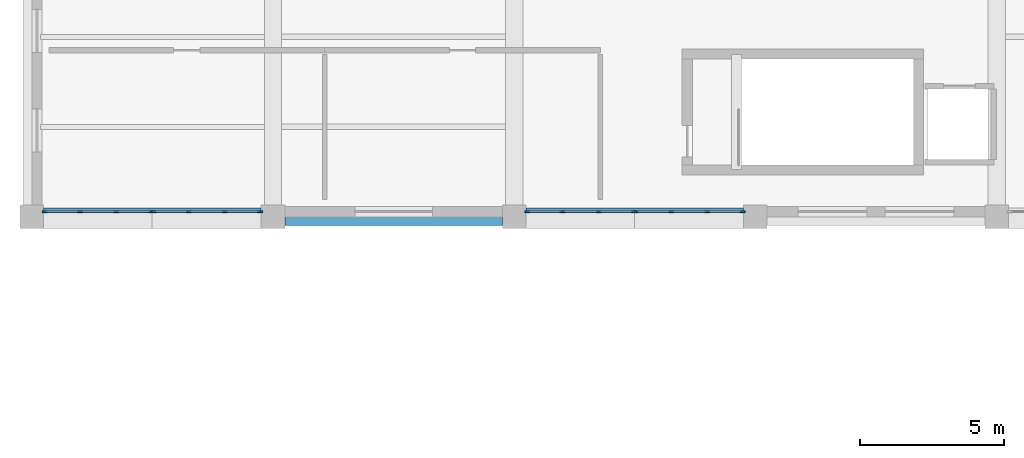
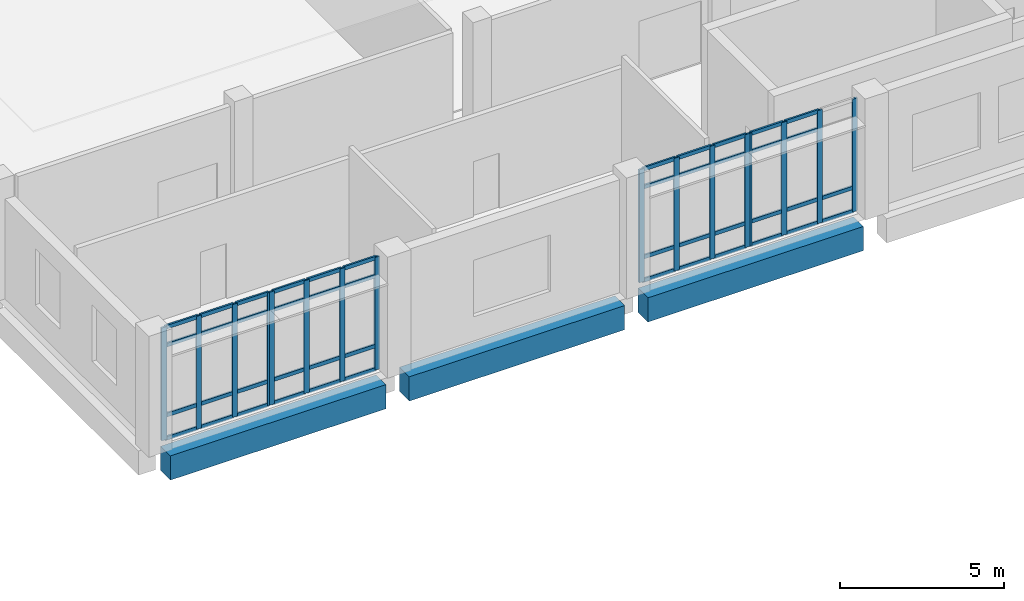
# One storey, part 10 of 54: 62 members, 3 beams, 4 elements without a shape of their own.
"""IFC4 building model written with IfcOpenShell, lengths in metres."""

from ifc_helpers import new_model, si_unit, direction, frame, origin, origin_2d, place, context, subcontext, project, spatial, rectangle, extrude, material, layer, layer_set, material_profile, profile_set, type_object, element, aggregate, save


model = new_model("IFC4")

# Units and contexts
model_context = context("Model", 3, precision=1e-05, world=origin(), true_north=direction((0.0, 1.0)))
body_context = subcontext(model_context, "Body", "Model", "MODEL_VIEW")
ifc_project = project(units=[si_unit("LENGTHUNIT", "METRE"), si_unit("AREAUNIT", "SQUARE_METRE"), si_unit("VOLUMEUNIT", "CUBIC_METRE"), si_unit("PLANEANGLEUNIT", "RADIAN"), si_unit("MASSUNIT", "GRAM", prefix="KILO")], contexts=[model_context])

# Site, building, storey
site_placement = place(None, origin())
site = spatial("IfcSite", under=ifc_project, at=site_placement, CompositionType="ELEMENT")
building_placement = place(site_placement, origin())
building = spatial("IfcBuilding", under=site, at=building_placement, Name="Kelarvand Opera House", CompositionType="ELEMENT")
storey_placement = place(building_placement, frame((0.0, 0.0, 15.0)))
storey = spatial("IfcBuildingStorey", under=building, at=storey_placement, Name="L03", CompositionType="ELEMENT", Elevation=15.0)

# Curtain wall, members
ifc_material_1 = material(Name="Thermally broken aluminium and low-E glazing", Category="aluminium")
ifc_layer = layer(ifc_material_1, 0.179931640625, Name="Thermally broken aluminium and low-E glazing", Category="aluminium")
ifc_layer_set = layer_set([ifc_layer], Name="Thermally broken aluminium and low-E glazing")
curtain_wall_type = type_object("IfcCurtainWallType", Name="Unitised Low-E Curtain Wall 3776x4200 Mod 1350 CWF-14", PredefinedType="USERDEFINED", material=ifc_layer_set)
curtain_wall_1_placement = place(storey_placement, origin())
curtain_wall_1 = element("IfcCurtainWall", 1, at=curtain_wall_1_placement, inside=storey, type_object=curtain_wall_type, Name="V3 L03 Curtain Wall CWF-14 (103)", ObjectType="UNITISED CURTAIN WALL", PredefinedType="USERDEFINED")
ifc_material_2 = material(Name="Thermally broken anodised aluminium", Category="aluminium")
ifc_material_profile_1 = material_profile(ifc_material_2, rectangle(XDim=0.06494140625, YDim=0.179931640625, at=origin_2d()), Name="ALU MULLION 65x180", Category="aluminium")
ifc_profile_set_1 = profile_set([ifc_material_profile_1], Name="Thermally broken anodised aluminium")
member_type_1 = type_object("IfcMemberType", Name="Curtain Wall Mullion 65x180 Aluminium", PredefinedType="MULLION", material=ifc_profile_set_1)
member_1_placement = place(storey_placement, frame((33.74755859375, 87.3798828125, 0.0), z_axis=(0.0, 0.0, 1.0), x_axis=(0.0, -1.0, 0.0)))
member_1 = element("IfcMember", 2, at=member_1_placement, type_object=member_type_1, Name="CWF-14 mullion 1", PredefinedType="MULLION", context=body_context, shape_type="SweptSolid", body=[
    extrude(rectangle(XDim=0.06494140625, YDim=0.179931640625, at=origin_2d()), origin(), (0.0, 0.0, 1.0), 4.199951171875),
])
member_2_placement = place(storey_placement, frame((32.521240234375, 87.3798828125, 0.0), z_axis=(0.0, 0.0, 1.0), x_axis=(0.0, -1.0, 0.0)))
member_2 = element("IfcMember", 3, at=member_2_placement, type_object=member_type_1, Name="CWF-14 mullion 2", PredefinedType="MULLION", context=body_context, shape_type="SweptSolid", body=[
    extrude(rectangle(XDim=0.06494140625, YDim=0.179931640625, at=origin_2d()), origin(), (0.0, 0.0, 1.0), 4.199951171875),
])
member_3_placement = place(storey_placement, frame((31.2626953125, 87.3798828125, 0.0), z_axis=(0.0, 0.0, 1.0), x_axis=(0.0, -1.0, 0.0)))
member_3 = element("IfcMember", 4, at=member_3_placement, type_object=member_type_1, Name="CWF-14 mullion 3", PredefinedType="MULLION", context=body_context, shape_type="SweptSolid", body=[
    extrude(rectangle(XDim=0.06494140625, YDim=0.179931640625, at=origin_2d()), origin(), (0.0, 0.0, 1.0), 4.199951171875),
])
member_4_placement = place(storey_placement, frame((30.03662109375, 87.3798828125, 0.0), z_axis=(0.0, 0.0, 1.0), x_axis=(0.0, -1.0, 0.0)))
member_4 = element("IfcMember", 5, at=member_4_placement, type_object=member_type_1, Name="CWF-14 mullion 4", PredefinedType="MULLION", context=body_context, shape_type="SweptSolid", body=[
    extrude(rectangle(XDim=0.06494140625, YDim=0.179931640625, at=origin_2d()), origin(), (0.0, 0.0, 1.0), 4.199951171875),
])

curtain_wall_2_placement = place(storey_placement, origin())
curtain_wall_2 = element("IfcCurtainWall", 6, at=curtain_wall_2_placement, inside=storey, type_object=curtain_wall_type, Name="V3 L03 Curtain Wall CWF-14 (104)", ObjectType="UNITISED CURTAIN WALL", PredefinedType="USERDEFINED")
member_5_placement = place(storey_placement, frame((29.967529296875, 87.3798828125, 0.0), z_axis=(0.0, 0.0, 1.0), x_axis=(0.0, -1.0, 0.0)))
member_5 = element("IfcMember", 7, at=member_5_placement, type_object=member_type_1, Name="CWF-14 mullion 1", PredefinedType="MULLION", context=body_context, shape_type="SweptSolid", body=[
    extrude(rectangle(XDim=0.06494140625, YDim=0.179931640625, at=origin_2d()), origin(), (0.0, 0.0, 1.0), 4.199951171875),
])
member_6_placement = place(storey_placement, frame((28.739990234375, 87.3798828125, 0.0), z_axis=(0.0, 0.0, 1.0), x_axis=(0.0, -1.0, 0.0)))
member_6 = element("IfcMember", 8, at=member_6_placement, type_object=member_type_1, Name="CWF-14 mullion 2", PredefinedType="MULLION", context=body_context, shape_type="SweptSolid", body=[
    extrude(rectangle(XDim=0.06494140625, YDim=0.179931640625, at=origin_2d()), origin(), (0.0, 0.0, 1.0), 4.199951171875),
])
member_7_placement = place(storey_placement, frame((27.47998046875, 87.3798828125, 0.0), z_axis=(0.0, 0.0, 1.0), x_axis=(0.0, -1.0, 0.0)))
member_7 = element("IfcMember", 9, at=member_7_placement, type_object=member_type_1, Name="CWF-14 mullion 3", PredefinedType="MULLION", context=body_context, shape_type="SweptSolid", body=[
    extrude(rectangle(XDim=0.06494140625, YDim=0.179931640625, at=origin_2d()), origin(), (0.0, 0.0, 1.0), 4.199951171875),
])
member_8_placement = place(storey_placement, frame((26.25244140625, 87.3798828125, 0.0), z_axis=(0.0, 0.0, 1.0), x_axis=(0.0, -1.0, 0.0)))
member_8 = element("IfcMember", 10, at=member_8_placement, type_object=member_type_1, Name="CWF-14 mullion 4", PredefinedType="MULLION", context=body_context, shape_type="SweptSolid", body=[
    extrude(rectangle(XDim=0.06494140625, YDim=0.179931640625, at=origin_2d()), origin(), (0.0, 0.0, 1.0), 4.199951171875),
])

curtain_wall_3_placement = place(storey_placement, origin())
curtain_wall_3 = element("IfcCurtainWall", 11, at=curtain_wall_3_placement, inside=storey, type_object=curtain_wall_type, Name="V3 L03 Curtain Wall CWF-14 (105)", ObjectType="UNITISED CURTAIN WALL", PredefinedType="USERDEFINED")
member_9_placement = place(storey_placement, frame((16.947509765625, 87.3798828125, 0.0), z_axis=(0.0, 0.0, 1.0), x_axis=(0.0, -1.0, 0.0)))
member_9 = element("IfcMember", 12, at=member_9_placement, type_object=member_type_1, Name="CWF-14 mullion 1", PredefinedType="MULLION", context=body_context, shape_type="SweptSolid", body=[
    extrude(rectangle(XDim=0.06494140625, YDim=0.179931640625, at=origin_2d()), origin(), (0.0, 0.0, 1.0), 4.199951171875),
])
member_10_placement = place(storey_placement, frame((15.721435546875, 87.3798828125, 0.0), z_axis=(0.0, 0.0, 1.0), x_axis=(0.0, -1.0, 0.0)))
member_10 = element("IfcMember", 13, at=member_10_placement, type_object=member_type_1, Name="CWF-14 mullion 2", PredefinedType="MULLION", context=body_context, shape_type="SweptSolid", body=[
    extrude(rectangle(XDim=0.06494140625, YDim=0.179931640625, at=origin_2d()), origin(), (0.0, 0.0, 1.0), 4.199951171875),
])
member_11_placement = place(storey_placement, frame((14.462646484375, 87.3798828125, 0.0), z_axis=(0.0, 0.0, 1.0), x_axis=(0.0, -1.0, 0.0)))
member_11 = element("IfcMember", 14, at=member_11_placement, type_object=member_type_1, Name="CWF-14 mullion 3", PredefinedType="MULLION", context=body_context, shape_type="SweptSolid", body=[
    extrude(rectangle(XDim=0.06494140625, YDim=0.179931640625, at=origin_2d()), origin(), (0.0, 0.0, 1.0), 4.199951171875),
])
member_12_placement = place(storey_placement, frame((13.236572265625, 87.3798828125, 0.0), z_axis=(0.0, 0.0, 1.0), x_axis=(0.0, -1.0, 0.0)))
member_12 = element("IfcMember", 15, at=member_12_placement, type_object=member_type_1, Name="CWF-14 mullion 4", PredefinedType="MULLION", context=body_context, shape_type="SweptSolid", body=[
    extrude(rectangle(XDim=0.06494140625, YDim=0.179931640625, at=origin_2d()), origin(), (0.0, 0.0, 1.0), 4.199951171875),
])

curtain_wall_4_placement = place(storey_placement, origin())
curtain_wall_4 = element("IfcCurtainWall", 16, at=curtain_wall_4_placement, inside=storey, type_object=curtain_wall_type, Name="V3 L03 Curtain Wall CWF-14 (106)", ObjectType="UNITISED CURTAIN WALL", PredefinedType="USERDEFINED")
member_13_placement = place(storey_placement, frame((13.16748046875, 87.3798828125, 0.0), z_axis=(0.0, 0.0, 1.0), x_axis=(0.0, -1.0, 0.0)))
member_13 = element("IfcMember", 17, at=member_13_placement, type_object=member_type_1, Name="CWF-14 mullion 1", PredefinedType="MULLION", context=body_context, shape_type="SweptSolid", body=[
    extrude(rectangle(XDim=0.06494140625, YDim=0.179931640625, at=origin_2d()), origin(), (0.0, 0.0, 1.0), 4.199951171875),
])
member_14_placement = place(storey_placement, frame((11.93994140625, 87.3798828125, 0.0), z_axis=(0.0, 0.0, 1.0), x_axis=(0.0, -1.0, 0.0)))
member_14 = element("IfcMember", 18, at=member_14_placement, type_object=member_type_1, Name="CWF-14 mullion 2", PredefinedType="MULLION", context=body_context, shape_type="SweptSolid", body=[
    extrude(rectangle(XDim=0.06494140625, YDim=0.179931640625, at=origin_2d()), origin(), (0.0, 0.0, 1.0), 4.199951171875),
])
member_15_placement = place(storey_placement, frame((10.679931640625, 87.3798828125, 0.0), z_axis=(0.0, 0.0, 1.0), x_axis=(0.0, -1.0, 0.0)))
member_15 = element("IfcMember", 19, at=member_15_placement, type_object=member_type_1, Name="CWF-14 mullion 3", PredefinedType="MULLION", context=body_context, shape_type="SweptSolid", body=[
    extrude(rectangle(XDim=0.06494140625, YDim=0.179931640625, at=origin_2d()), origin(), (0.0, 0.0, 1.0), 4.199951171875),
])
member_16_placement = place(storey_placement, frame((9.452392578125, 87.3798828125, 0.0), z_axis=(0.0, 0.0, 1.0), x_axis=(0.0, -1.0, 0.0)))
member_16 = element("IfcMember", 20, at=member_16_placement, type_object=member_type_1, Name="CWF-14 mullion 4", PredefinedType="MULLION", context=body_context, shape_type="SweptSolid", body=[
    extrude(rectangle(XDim=0.06494140625, YDim=0.179931640625, at=origin_2d()), origin(), (0.0, 0.0, 1.0), 4.199951171875),
])

# Member
ifc_material_profile_2 = material_profile(ifc_material_2, rectangle(XDim=0.06494140625, YDim=0.139892578125, at=origin_2d()), Name="ALU TRANSOM 65x140", Category="aluminium")
ifc_profile_set_2 = profile_set([ifc_material_profile_2], Name="Thermally broken anodised aluminium")
member_type_2 = type_object("IfcMemberType", Name="Curtain Wall Transom 65x140 Aluminium", PredefinedType="USERDEFINED", material=ifc_profile_set_2)
member_17_placement = place(storey_placement, frame((33.715087890625, 87.3798828125, 0.032470703125), z_axis=(-1.0, 0.0, 0.0), x_axis=(0.0, -1.0, 0.0)))
member_17 = element("IfcMember", 21, at=member_17_placement, type_object=member_type_2, Name="CWF-14 transom 1.1", ObjectType="TRANSOM", PredefinedType="USERDEFINED", context=body_context, shape_type="SweptSolid", body=[
    extrude(rectangle(XDim=0.06494140625, YDim=0.139892578125, at=origin_2d()), origin(), (0.0, 0.0, 1.0), 1.1611328125),
])

member_18_placement = place(storey_placement, frame((33.715087890625, 87.3798828125, 0.89990234375), z_axis=(-1.0, 0.0, 0.0), x_axis=(0.0, -1.0, 0.0)))
member_18 = element("IfcMember", 22, at=member_18_placement, type_object=member_type_2, Name="CWF-14 transom 1.2", ObjectType="TRANSOM", PredefinedType="USERDEFINED", context=body_context, shape_type="SweptSolid", body=[
    extrude(rectangle(XDim=0.06494140625, YDim=0.139892578125, at=origin_2d()), origin(), (0.0, 0.0, 1.0), 1.1611328125),
])

member_19_placement = place(storey_placement, frame((32.48876953125, 87.3798828125, 0.032470703125), z_axis=(-1.0, 0.0, 0.0), x_axis=(0.0, -1.0, 0.0)))
member_19 = element("IfcMember", 23, at=member_19_placement, type_object=member_type_2, Name="CWF-14 transom 2.1", ObjectType="TRANSOM", PredefinedType="USERDEFINED", context=body_context, shape_type="SweptSolid", body=[
    extrude(rectangle(XDim=0.06494140625, YDim=0.139892578125, at=origin_2d()), origin(), (0.0, 0.0, 1.0), 1.193603515625),
])

member_20_placement = place(storey_placement, frame((32.48876953125, 87.3798828125, 0.89990234375), z_axis=(-1.0, 0.0, 0.0), x_axis=(0.0, -1.0, 0.0)))
member_20 = element("IfcMember", 24, at=member_20_placement, type_object=member_type_2, Name="CWF-14 transom 2.2", ObjectType="TRANSOM", PredefinedType="USERDEFINED", context=body_context, shape_type="SweptSolid", body=[
    extrude(rectangle(XDim=0.06494140625, YDim=0.139892578125, at=origin_2d()), origin(), (0.0, 0.0, 1.0), 1.193603515625),
])

member_21_placement = place(storey_placement, frame((32.48876953125, 87.3798828125, 3.5), z_axis=(-1.0, 0.0, 0.0), x_axis=(0.0, -1.0, 0.0)))
member_21 = element("IfcMember", 25, at=member_21_placement, type_object=member_type_2, Name="CWF-14 transom 2.3", ObjectType="TRANSOM", PredefinedType="USERDEFINED", context=body_context, shape_type="SweptSolid", body=[
    extrude(rectangle(XDim=0.06494140625, YDim=0.139892578125, at=origin_2d()), origin(), (0.0, 0.0, 1.0), 1.193603515625),
])

member_22_placement = place(storey_placement, frame((32.48876953125, 87.3798828125, 4.16748046875), z_axis=(-1.0, 0.0, 0.0), x_axis=(0.0, -1.0, 0.0)))
member_22 = element("IfcMember", 26, at=member_22_placement, type_object=member_type_2, Name="CWF-14 transom 2.4", ObjectType="TRANSOM", PredefinedType="USERDEFINED", context=body_context, shape_type="SweptSolid", body=[
    extrude(rectangle(XDim=0.06494140625, YDim=0.139892578125, at=origin_2d()), origin(), (0.0, 0.0, 1.0), 1.193603515625),
])

member_23_placement = place(storey_placement, frame((31.230224609375, 87.3798828125, 0.032470703125), z_axis=(-1.0, 0.0, 0.0), x_axis=(0.0, -1.0, 0.0)))
member_23 = element("IfcMember", 27, at=member_23_placement, type_object=member_type_2, Name="CWF-14 transom 3.1", ObjectType="TRANSOM", PredefinedType="USERDEFINED", context=body_context, shape_type="SweptSolid", body=[
    extrude(rectangle(XDim=0.06494140625, YDim=0.139892578125, at=origin_2d()), origin(), (0.0, 0.0, 1.0), 1.1611328125),
])

member_24_placement = place(storey_placement, frame((31.230224609375, 87.3798828125, 0.89990234375), z_axis=(-1.0, 0.0, 0.0), x_axis=(0.0, -1.0, 0.0)))
member_24 = element("IfcMember", 28, at=member_24_placement, type_object=member_type_2, Name="CWF-14 transom 3.2", ObjectType="TRANSOM", PredefinedType="USERDEFINED", context=body_context, shape_type="SweptSolid", body=[
    extrude(rectangle(XDim=0.06494140625, YDim=0.139892578125, at=origin_2d()), origin(), (0.0, 0.0, 1.0), 1.1611328125),
])

member_25_placement = place(storey_placement, frame((31.230224609375, 87.3798828125, 3.5), z_axis=(-1.0, 0.0, 0.0), x_axis=(0.0, -1.0, 0.0)))
member_25 = element("IfcMember", 29, at=member_25_placement, type_object=member_type_2, Name="CWF-14 transom 3.3", ObjectType="TRANSOM", PredefinedType="USERDEFINED", context=body_context, shape_type="SweptSolid", body=[
    extrude(rectangle(XDim=0.06494140625, YDim=0.139892578125, at=origin_2d()), origin(), (0.0, 0.0, 1.0), 1.1611328125),
])

member_26_placement = place(storey_placement, frame((31.230224609375, 87.3798828125, 4.16748046875), z_axis=(-1.0, 0.0, 0.0), x_axis=(0.0, -1.0, 0.0)))
member_26 = element("IfcMember", 30, at=member_26_placement, type_object=member_type_2, Name="CWF-14 transom 3.4", ObjectType="TRANSOM", PredefinedType="USERDEFINED", context=body_context, shape_type="SweptSolid", body=[
    extrude(rectangle(XDim=0.06494140625, YDim=0.139892578125, at=origin_2d()), origin(), (0.0, 0.0, 1.0), 1.1611328125),
])

aggregate(curtain_wall_1, [member_1, member_2, member_3, member_4, member_17, member_18, member_19, member_20, member_21, member_22, member_23, member_24, member_25, member_26])

member_27_placement = place(storey_placement, frame((29.93505859375, 87.3798828125, 0.032470703125), z_axis=(-1.0, 0.0, 0.0), x_axis=(0.0, -1.0, 0.0)))
member_27 = element("IfcMember", 31, at=member_27_placement, type_object=member_type_2, Name="CWF-14 transom 1.1", ObjectType="TRANSOM", PredefinedType="USERDEFINED", context=body_context, shape_type="SweptSolid", body=[
    extrude(rectangle(XDim=0.06494140625, YDim=0.139892578125, at=origin_2d()), origin(), (0.0, 0.0, 1.0), 1.16259765625),
])

member_28_placement = place(storey_placement, frame((29.93505859375, 87.3798828125, 0.89990234375), z_axis=(-1.0, 0.0, 0.0), x_axis=(0.0, -1.0, 0.0)))
member_28 = element("IfcMember", 32, at=member_28_placement, type_object=member_type_2, Name="CWF-14 transom 1.2", ObjectType="TRANSOM", PredefinedType="USERDEFINED", context=body_context, shape_type="SweptSolid", body=[
    extrude(rectangle(XDim=0.06494140625, YDim=0.139892578125, at=origin_2d()), origin(), (0.0, 0.0, 1.0), 1.16259765625),
])

member_29_placement = place(storey_placement, frame((29.93505859375, 87.3798828125, 3.5), z_axis=(-1.0, 0.0, 0.0), x_axis=(0.0, -1.0, 0.0)))
member_29 = element("IfcMember", 33, at=member_29_placement, type_object=member_type_2, Name="CWF-14 transom 1.3", ObjectType="TRANSOM", PredefinedType="USERDEFINED", context=body_context, shape_type="SweptSolid", body=[
    extrude(rectangle(XDim=0.06494140625, YDim=0.139892578125, at=origin_2d()), origin(), (0.0, 0.0, 1.0), 1.16259765625),
])

member_30_placement = place(storey_placement, frame((29.93505859375, 87.3798828125, 4.16748046875), z_axis=(-1.0, 0.0, 0.0), x_axis=(0.0, -1.0, 0.0)))
member_30 = element("IfcMember", 34, at=member_30_placement, type_object=member_type_2, Name="CWF-14 transom 1.4", ObjectType="TRANSOM", PredefinedType="USERDEFINED", context=body_context, shape_type="SweptSolid", body=[
    extrude(rectangle(XDim=0.06494140625, YDim=0.139892578125, at=origin_2d()), origin(), (0.0, 0.0, 1.0), 1.16259765625),
])

member_31_placement = place(storey_placement, frame((28.70751953125, 87.3798828125, 0.032470703125), z_axis=(-1.0, 0.0, 0.0), x_axis=(0.0, -1.0, 0.0)))
member_31 = element("IfcMember", 35, at=member_31_placement, type_object=member_type_2, Name="CWF-14 transom 2.1", ObjectType="TRANSOM", PredefinedType="USERDEFINED", context=body_context, shape_type="SweptSolid", body=[
    extrude(rectangle(XDim=0.06494140625, YDim=0.139892578125, at=origin_2d()), origin(), (0.0, 0.0, 1.0), 1.195068359375),
])

member_32_placement = place(storey_placement, frame((28.70751953125, 87.3798828125, 0.89990234375), z_axis=(-1.0, 0.0, 0.0), x_axis=(0.0, -1.0, 0.0)))
member_32 = element("IfcMember", 36, at=member_32_placement, type_object=member_type_2, Name="CWF-14 transom 2.2", ObjectType="TRANSOM", PredefinedType="USERDEFINED", context=body_context, shape_type="SweptSolid", body=[
    extrude(rectangle(XDim=0.06494140625, YDim=0.139892578125, at=origin_2d()), origin(), (0.0, 0.0, 1.0), 1.195068359375),
])

member_33_placement = place(storey_placement, frame((28.70751953125, 87.3798828125, 3.5), z_axis=(-1.0, 0.0, 0.0), x_axis=(0.0, -1.0, 0.0)))
member_33 = element("IfcMember", 37, at=member_33_placement, type_object=member_type_2, Name="CWF-14 transom 2.3", ObjectType="TRANSOM", PredefinedType="USERDEFINED", context=body_context, shape_type="SweptSolid", body=[
    extrude(rectangle(XDim=0.06494140625, YDim=0.139892578125, at=origin_2d()), origin(), (0.0, 0.0, 1.0), 1.195068359375),
])

member_34_placement = place(storey_placement, frame((28.70751953125, 87.3798828125, 4.16748046875), z_axis=(-1.0, 0.0, 0.0), x_axis=(0.0, -1.0, 0.0)))
member_34 = element("IfcMember", 38, at=member_34_placement, type_object=member_type_2, Name="CWF-14 transom 2.4", ObjectType="TRANSOM", PredefinedType="USERDEFINED", context=body_context, shape_type="SweptSolid", body=[
    extrude(rectangle(XDim=0.06494140625, YDim=0.139892578125, at=origin_2d()), origin(), (0.0, 0.0, 1.0), 1.195068359375),
])

member_35_placement = place(storey_placement, frame((27.447509765625, 87.3798828125, 0.032470703125), z_axis=(-1.0, 0.0, 0.0), x_axis=(0.0, -1.0, 0.0)))
member_35 = element("IfcMember", 39, at=member_35_placement, type_object=member_type_2, Name="CWF-14 transom 3.1", ObjectType="TRANSOM", PredefinedType="USERDEFINED", context=body_context, shape_type="SweptSolid", body=[
    extrude(rectangle(XDim=0.06494140625, YDim=0.139892578125, at=origin_2d()), origin(), (0.0, 0.0, 1.0), 1.16259765625),
])

member_36_placement = place(storey_placement, frame((27.447509765625, 87.3798828125, 0.89990234375), z_axis=(-1.0, 0.0, 0.0), x_axis=(0.0, -1.0, 0.0)))
member_36 = element("IfcMember", 40, at=member_36_placement, type_object=member_type_2, Name="CWF-14 transom 3.2", ObjectType="TRANSOM", PredefinedType="USERDEFINED", context=body_context, shape_type="SweptSolid", body=[
    extrude(rectangle(XDim=0.06494140625, YDim=0.139892578125, at=origin_2d()), origin(), (0.0, 0.0, 1.0), 1.16259765625),
])

member_37_placement = place(storey_placement, frame((27.447509765625, 87.3798828125, 3.5), z_axis=(-1.0, 0.0, 0.0), x_axis=(0.0, -1.0, 0.0)))
member_37 = element("IfcMember", 41, at=member_37_placement, type_object=member_type_2, Name="CWF-14 transom 3.3", ObjectType="TRANSOM", PredefinedType="USERDEFINED", context=body_context, shape_type="SweptSolid", body=[
    extrude(rectangle(XDim=0.06494140625, YDim=0.139892578125, at=origin_2d()), origin(), (0.0, 0.0, 1.0), 1.16259765625),
])

member_38_placement = place(storey_placement, frame((27.447509765625, 87.3798828125, 4.16748046875), z_axis=(-1.0, 0.0, 0.0), x_axis=(0.0, -1.0, 0.0)))
member_38 = element("IfcMember", 42, at=member_38_placement, type_object=member_type_2, Name="CWF-14 transom 3.4", ObjectType="TRANSOM", PredefinedType="USERDEFINED", context=body_context, shape_type="SweptSolid", body=[
    extrude(rectangle(XDim=0.06494140625, YDim=0.139892578125, at=origin_2d()), origin(), (0.0, 0.0, 1.0), 1.16259765625),
])

aggregate(curtain_wall_2, [member_5, member_6, member_7, member_8, member_27, member_28, member_29, member_30, member_31, member_32, member_33, member_34, member_35, member_36, member_37, member_38])

member_39_placement = place(storey_placement, frame((16.9150390625, 87.3798828125, 0.032470703125), z_axis=(-1.0, 0.0, 0.0), x_axis=(0.0, -1.0, 0.0)))
member_39 = element("IfcMember", 43, at=member_39_placement, type_object=member_type_2, Name="CWF-14 transom 1.1", ObjectType="TRANSOM", PredefinedType="USERDEFINED", context=body_context, shape_type="SweptSolid", body=[
    extrude(rectangle(XDim=0.06494140625, YDim=0.139892578125, at=origin_2d()), origin(), (0.0, 0.0, 1.0), 1.1611328125),
])

member_40_placement = place(storey_placement, frame((16.9150390625, 87.3798828125, 0.89990234375), z_axis=(-1.0, 0.0, 0.0), x_axis=(0.0, -1.0, 0.0)))
member_40 = element("IfcMember", 44, at=member_40_placement, type_object=member_type_2, Name="CWF-14 transom 1.2", ObjectType="TRANSOM", PredefinedType="USERDEFINED", context=body_context, shape_type="SweptSolid", body=[
    extrude(rectangle(XDim=0.06494140625, YDim=0.139892578125, at=origin_2d()), origin(), (0.0, 0.0, 1.0), 1.1611328125),
])

member_41_placement = place(storey_placement, frame((16.9150390625, 87.3798828125, 3.5), z_axis=(-1.0, 0.0, 0.0), x_axis=(0.0, -1.0, 0.0)))
member_41 = element("IfcMember", 45, at=member_41_placement, type_object=member_type_2, Name="CWF-14 transom 1.3", ObjectType="TRANSOM", PredefinedType="USERDEFINED", context=body_context, shape_type="SweptSolid", body=[
    extrude(rectangle(XDim=0.06494140625, YDim=0.139892578125, at=origin_2d()), origin(), (0.0, 0.0, 1.0), 1.1611328125),
])

member_42_placement = place(storey_placement, frame((16.9150390625, 87.3798828125, 4.16748046875), z_axis=(-1.0, 0.0, 0.0), x_axis=(0.0, -1.0, 0.0)))
member_42 = element("IfcMember", 46, at=member_42_placement, type_object=member_type_2, Name="CWF-14 transom 1.4", ObjectType="TRANSOM", PredefinedType="USERDEFINED", context=body_context, shape_type="SweptSolid", body=[
    extrude(rectangle(XDim=0.06494140625, YDim=0.139892578125, at=origin_2d()), origin(), (0.0, 0.0, 1.0), 1.1611328125),
])

member_43_placement = place(storey_placement, frame((15.688720703125, 87.3798828125, 0.032470703125), z_axis=(-1.0, 0.0, 0.0), x_axis=(0.0, -1.0, 0.0)))
member_43 = element("IfcMember", 47, at=member_43_placement, type_object=member_type_2, Name="CWF-14 transom 2.1", ObjectType="TRANSOM", PredefinedType="USERDEFINED", context=body_context, shape_type="SweptSolid", body=[
    extrude(rectangle(XDim=0.06494140625, YDim=0.139892578125, at=origin_2d()), origin(), (0.0, 0.0, 1.0), 1.193603515625),
])

member_44_placement = place(storey_placement, frame((15.688720703125, 87.3798828125, 0.89990234375), z_axis=(-1.0, 0.0, 0.0), x_axis=(0.0, -1.0, 0.0)))
member_44 = element("IfcMember", 48, at=member_44_placement, type_object=member_type_2, Name="CWF-14 transom 2.2", ObjectType="TRANSOM", PredefinedType="USERDEFINED", context=body_context, shape_type="SweptSolid", body=[
    extrude(rectangle(XDim=0.06494140625, YDim=0.139892578125, at=origin_2d()), origin(), (0.0, 0.0, 1.0), 1.193603515625),
])

member_45_placement = place(storey_placement, frame((15.688720703125, 87.3798828125, 3.5), z_axis=(-1.0, 0.0, 0.0), x_axis=(0.0, -1.0, 0.0)))
member_45 = element("IfcMember", 49, at=member_45_placement, type_object=member_type_2, Name="CWF-14 transom 2.3", ObjectType="TRANSOM", PredefinedType="USERDEFINED", context=body_context, shape_type="SweptSolid", body=[
    extrude(rectangle(XDim=0.06494140625, YDim=0.139892578125, at=origin_2d()), origin(), (0.0, 0.0, 1.0), 1.193603515625),
])

member_46_placement = place(storey_placement, frame((15.688720703125, 87.3798828125, 4.16748046875), z_axis=(-1.0, 0.0, 0.0), x_axis=(0.0, -1.0, 0.0)))
member_46 = element("IfcMember", 50, at=member_46_placement, type_object=member_type_2, Name="CWF-14 transom 2.4", ObjectType="TRANSOM", PredefinedType="USERDEFINED", context=body_context, shape_type="SweptSolid", body=[
    extrude(rectangle(XDim=0.06494140625, YDim=0.139892578125, at=origin_2d()), origin(), (0.0, 0.0, 1.0), 1.193603515625),
])

member_47_placement = place(storey_placement, frame((14.43017578125, 87.3798828125, 0.032470703125), z_axis=(-1.0, 0.0, 0.0), x_axis=(0.0, -1.0, 0.0)))
member_47 = element("IfcMember", 51, at=member_47_placement, type_object=member_type_2, Name="CWF-14 transom 3.1", ObjectType="TRANSOM", PredefinedType="USERDEFINED", context=body_context, shape_type="SweptSolid", body=[
    extrude(rectangle(XDim=0.06494140625, YDim=0.139892578125, at=origin_2d()), origin(), (0.0, 0.0, 1.0), 1.1611328125),
])

member_48_placement = place(storey_placement, frame((14.43017578125, 87.3798828125, 0.89990234375), z_axis=(-1.0, 0.0, 0.0), x_axis=(0.0, -1.0, 0.0)))
member_48 = element("IfcMember", 52, at=member_48_placement, type_object=member_type_2, Name="CWF-14 transom 3.2", ObjectType="TRANSOM", PredefinedType="USERDEFINED", context=body_context, shape_type="SweptSolid", body=[
    extrude(rectangle(XDim=0.06494140625, YDim=0.139892578125, at=origin_2d()), origin(), (0.0, 0.0, 1.0), 1.1611328125),
])

member_49_placement = place(storey_placement, frame((14.43017578125, 87.3798828125, 3.5), z_axis=(-1.0, 0.0, 0.0), x_axis=(0.0, -1.0, 0.0)))
member_49 = element("IfcMember", 53, at=member_49_placement, type_object=member_type_2, Name="CWF-14 transom 3.3", ObjectType="TRANSOM", PredefinedType="USERDEFINED", context=body_context, shape_type="SweptSolid", body=[
    extrude(rectangle(XDim=0.06494140625, YDim=0.139892578125, at=origin_2d()), origin(), (0.0, 0.0, 1.0), 1.1611328125),
])

member_50_placement = place(storey_placement, frame((14.43017578125, 87.3798828125, 4.16748046875), z_axis=(-1.0, 0.0, 0.0), x_axis=(0.0, -1.0, 0.0)))
member_50 = element("IfcMember", 54, at=member_50_placement, type_object=member_type_2, Name="CWF-14 transom 3.4", ObjectType="TRANSOM", PredefinedType="USERDEFINED", context=body_context, shape_type="SweptSolid", body=[
    extrude(rectangle(XDim=0.06494140625, YDim=0.139892578125, at=origin_2d()), origin(), (0.0, 0.0, 1.0), 1.1611328125),
])

aggregate(curtain_wall_3, [member_9, member_10, member_11, member_12, member_39, member_40, member_41, member_42, member_43, member_44, member_45, member_46, member_47, member_48, member_49, member_50])

member_51_placement = place(storey_placement, frame((13.135009765625, 87.3798828125, 0.032470703125), z_axis=(-1.0, 0.0, 0.0), x_axis=(0.0, -1.0, 0.0)))
member_51 = element("IfcMember", 55, at=member_51_placement, type_object=member_type_2, Name="CWF-14 transom 1.1", ObjectType="TRANSOM", PredefinedType="USERDEFINED", context=body_context, shape_type="SweptSolid", body=[
    extrude(rectangle(XDim=0.06494140625, YDim=0.139892578125, at=origin_2d()), origin(), (0.0, 0.0, 1.0), 1.16259765625),
])

member_52_placement = place(storey_placement, frame((13.135009765625, 87.3798828125, 0.89990234375), z_axis=(-1.0, 0.0, 0.0), x_axis=(0.0, -1.0, 0.0)))
member_52 = element("IfcMember", 56, at=member_52_placement, type_object=member_type_2, Name="CWF-14 transom 1.2", ObjectType="TRANSOM", PredefinedType="USERDEFINED", context=body_context, shape_type="SweptSolid", body=[
    extrude(rectangle(XDim=0.06494140625, YDim=0.139892578125, at=origin_2d()), origin(), (0.0, 0.0, 1.0), 1.16259765625),
])

member_53_placement = place(storey_placement, frame((13.135009765625, 87.3798828125, 3.5), z_axis=(-1.0, 0.0, 0.0), x_axis=(0.0, -1.0, 0.0)))
member_53 = element("IfcMember", 57, at=member_53_placement, type_object=member_type_2, Name="CWF-14 transom 1.3", ObjectType="TRANSOM", PredefinedType="USERDEFINED", context=body_context, shape_type="SweptSolid", body=[
    extrude(rectangle(XDim=0.06494140625, YDim=0.139892578125, at=origin_2d()), origin(), (0.0, 0.0, 1.0), 1.16259765625),
])

member_54_placement = place(storey_placement, frame((13.135009765625, 87.3798828125, 4.16748046875), z_axis=(-1.0, 0.0, 0.0), x_axis=(0.0, -1.0, 0.0)))
member_54 = element("IfcMember", 58, at=member_54_placement, type_object=member_type_2, Name="CWF-14 transom 1.4", ObjectType="TRANSOM", PredefinedType="USERDEFINED", context=body_context, shape_type="SweptSolid", body=[
    extrude(rectangle(XDim=0.06494140625, YDim=0.139892578125, at=origin_2d()), origin(), (0.0, 0.0, 1.0), 1.16259765625),
])

member_55_placement = place(storey_placement, frame((11.907470703125, 87.3798828125, 0.032470703125), z_axis=(-1.0, 0.0, 0.0), x_axis=(0.0, -1.0, 0.0)))
member_55 = element("IfcMember", 59, at=member_55_placement, type_object=member_type_2, Name="CWF-14 transom 2.1", ObjectType="TRANSOM", PredefinedType="USERDEFINED", context=body_context, shape_type="SweptSolid", body=[
    extrude(rectangle(XDim=0.06494140625, YDim=0.139892578125, at=origin_2d()), origin(), (0.0, 0.0, 1.0), 1.195068359375),
])

member_56_placement = place(storey_placement, frame((11.907470703125, 87.3798828125, 0.89990234375), z_axis=(-1.0, 0.0, 0.0), x_axis=(0.0, -1.0, 0.0)))
member_56 = element("IfcMember", 60, at=member_56_placement, type_object=member_type_2, Name="CWF-14 transom 2.2", ObjectType="TRANSOM", PredefinedType="USERDEFINED", context=body_context, shape_type="SweptSolid", body=[
    extrude(rectangle(XDim=0.06494140625, YDim=0.139892578125, at=origin_2d()), origin(), (0.0, 0.0, 1.0), 1.195068359375),
])

member_57_placement = place(storey_placement, frame((11.907470703125, 87.3798828125, 3.5), z_axis=(-1.0, 0.0, 0.0), x_axis=(0.0, -1.0, 0.0)))
member_57 = element("IfcMember", 61, at=member_57_placement, type_object=member_type_2, Name="CWF-14 transom 2.3", ObjectType="TRANSOM", PredefinedType="USERDEFINED", context=body_context, shape_type="SweptSolid", body=[
    extrude(rectangle(XDim=0.06494140625, YDim=0.139892578125, at=origin_2d()), origin(), (0.0, 0.0, 1.0), 1.195068359375),
])

member_58_placement = place(storey_placement, frame((11.907470703125, 87.3798828125, 4.16748046875), z_axis=(-1.0, 0.0, 0.0), x_axis=(0.0, -1.0, 0.0)))
member_58 = element("IfcMember", 62, at=member_58_placement, type_object=member_type_2, Name="CWF-14 transom 2.4", ObjectType="TRANSOM", PredefinedType="USERDEFINED", context=body_context, shape_type="SweptSolid", body=[
    extrude(rectangle(XDim=0.06494140625, YDim=0.139892578125, at=origin_2d()), origin(), (0.0, 0.0, 1.0), 1.195068359375),
])

member_59_placement = place(storey_placement, frame((10.6474609375, 87.3798828125, 0.032470703125), z_axis=(-1.0, 0.0, 0.0), x_axis=(0.0, -1.0, 0.0)))
member_59 = element("IfcMember", 63, at=member_59_placement, type_object=member_type_2, Name="CWF-14 transom 3.1", ObjectType="TRANSOM", PredefinedType="USERDEFINED", context=body_context, shape_type="SweptSolid", body=[
    extrude(rectangle(XDim=0.06494140625, YDim=0.139892578125, at=origin_2d()), origin(), (0.0, 0.0, 1.0), 1.162353515625),
])

member_60_placement = place(storey_placement, frame((10.6474609375, 87.3798828125, 0.89990234375), z_axis=(-1.0, 0.0, 0.0), x_axis=(0.0, -1.0, 0.0)))
member_60 = element("IfcMember", 64, at=member_60_placement, type_object=member_type_2, Name="CWF-14 transom 3.2", ObjectType="TRANSOM", PredefinedType="USERDEFINED", context=body_context, shape_type="SweptSolid", body=[
    extrude(rectangle(XDim=0.06494140625, YDim=0.139892578125, at=origin_2d()), origin(), (0.0, 0.0, 1.0), 1.162353515625),
])

member_61_placement = place(storey_placement, frame((10.6474609375, 87.3798828125, 3.5), z_axis=(-1.0, 0.0, 0.0), x_axis=(0.0, -1.0, 0.0)))
member_61 = element("IfcMember", 65, at=member_61_placement, type_object=member_type_2, Name="CWF-14 transom 3.3", ObjectType="TRANSOM", PredefinedType="USERDEFINED", context=body_context, shape_type="SweptSolid", body=[
    extrude(rectangle(XDim=0.06494140625, YDim=0.139892578125, at=origin_2d()), origin(), (0.0, 0.0, 1.0), 1.162353515625),
])

member_62_placement = place(storey_placement, frame((10.6474609375, 87.3798828125, 4.16748046875), z_axis=(-1.0, 0.0, 0.0), x_axis=(0.0, -1.0, 0.0)))
member_62 = element("IfcMember", 66, at=member_62_placement, type_object=member_type_2, Name="CWF-14 transom 3.4", ObjectType="TRANSOM", PredefinedType="USERDEFINED", context=body_context, shape_type="SweptSolid", body=[
    extrude(rectangle(XDim=0.06494140625, YDim=0.139892578125, at=origin_2d()), origin(), (0.0, 0.0, 1.0), 1.162353515625),
])

aggregate(curtain_wall_4, [member_13, member_14, member_15, member_16, member_51, member_52, member_53, member_54, member_55, member_56, member_57, member_58, member_59, member_60, member_61, member_62])

# Beams
ifc_material_3 = material(Name="Concrete C40/50", Category="concrete")
ifc_material_profile_3 = material_profile(ifc_material_3, rectangle(XDim=0.60009765625, YDim=0.89990234375, at=origin_2d()), Name="RC 600x900", Category="concrete")
ifc_profile_set_3 = profile_set([ifc_material_profile_3], Name="Concrete C40/50")
beam_type = type_object("IfcBeamType", Name="Structural Spandrel RC 600x900 SP-RC600x900E", PredefinedType="SPANDREL", material=ifc_profile_set_3)
beam_1_placement = place(storey_placement, frame((9.409912109375, 87.199951171875, -0.75), z_axis=(1.0, 0.0, 0.0), x_axis=(0.0, 1.0, 0.0)))
element("IfcBeam", 67, at=beam_1_placement, inside=storey, type_object=beam_type, Name="V3 L03 Beam SP-RC600x900E", PredefinedType="SPANDREL", context=body_context, shape_type="SweptSolid", body=[
    extrude(rectangle(XDim=0.60009765625, YDim=0.89990234375, at=origin_2d()), origin(), (0.0, 0.0, 1.0), 7.580078125),
])
beam_2_placement = place(storey_placement, frame((17.81005859375, 87.199951171875, -0.75), z_axis=(1.0, 0.0, 0.0), x_axis=(0.0, 1.0, 0.0)))
element("IfcBeam", 68, at=beam_2_placement, inside=storey, type_object=beam_type, Name="V3 L03 Beam SP-RC600x900E", PredefinedType="SPANDREL", context=body_context, shape_type="SweptSolid", body=[
    extrude(rectangle(XDim=0.60009765625, YDim=0.89990234375, at=origin_2d()), origin(), (0.0, 0.0, 1.0), 7.579833984375),
])
beam_3_placement = place(storey_placement, frame((26.2099609375, 87.199951171875, -0.75), z_axis=(1.0, 0.0, 0.0), x_axis=(0.0, 1.0, 0.0)))
element("IfcBeam", 69, at=beam_3_placement, inside=storey, type_object=beam_type, Name="V3 L03 Beam SP-RC600x900E", PredefinedType="SPANDREL", context=body_context, shape_type="SweptSolid", body=[
    extrude(rectangle(XDim=0.60009765625, YDim=0.89990234375, at=origin_2d()), origin(), (0.0, 0.0, 1.0), 7.580078125),
])

save(model, "model.ifc")
